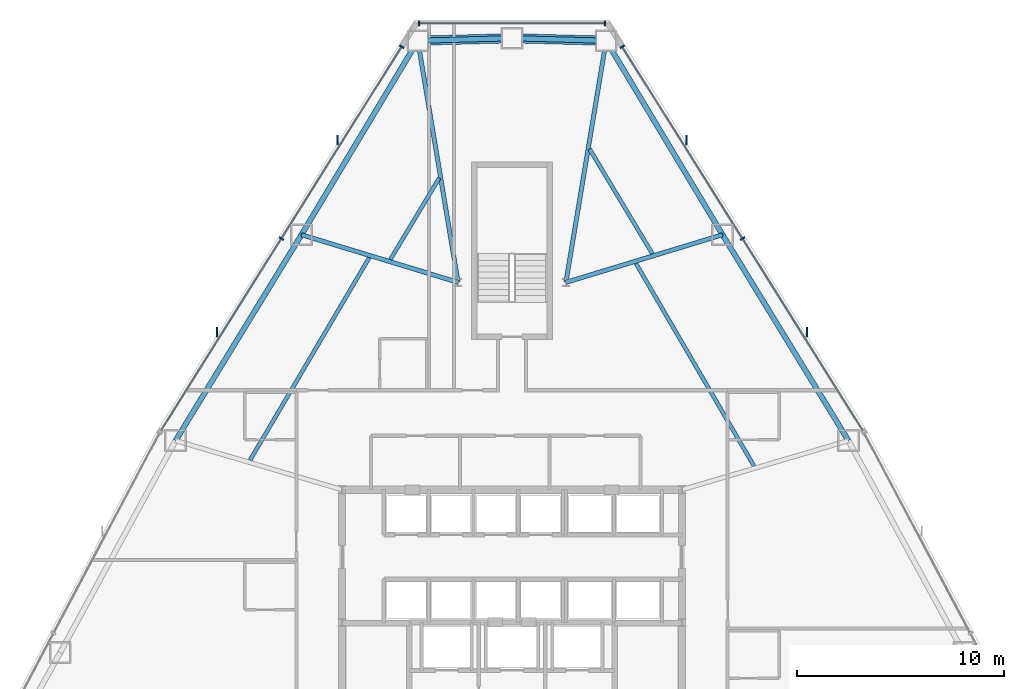
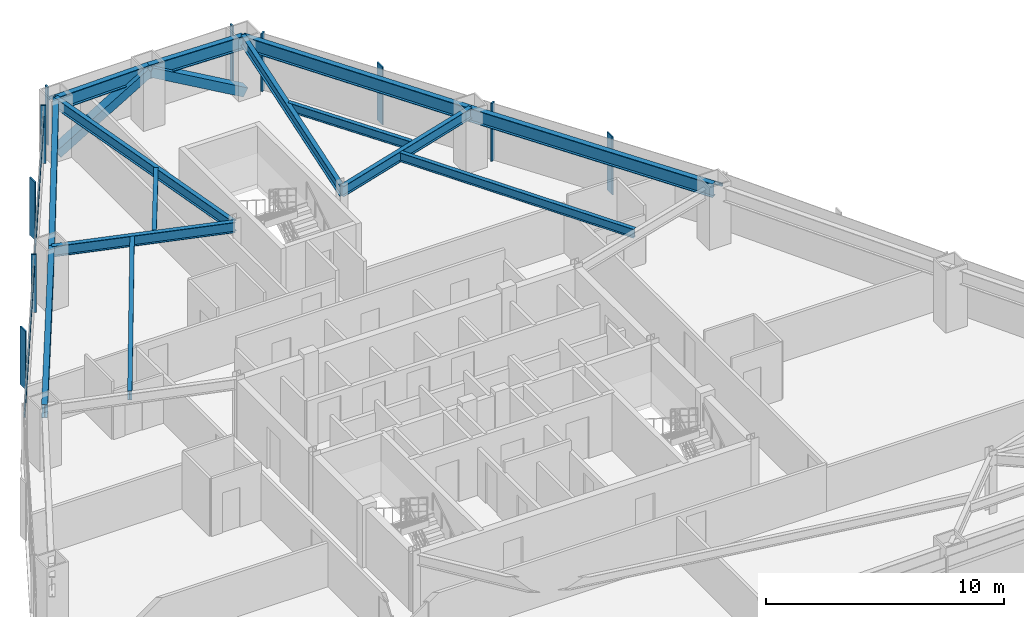
# One storey, part 7 of 13: 15 members, 14 beams, 3 elements without a shape of their own.
"""IFC4 building model written with IfcOpenShell, lengths in metres."""

from ifc_helpers import new_model, si_unit, direction, frame, origin, origin_2d, place, context, subcontext, project, spatial, rectangle, hollow_rectangle, i_section, extrude, source, transform, mapped, material, layer, layer_set, material_profile, profile_set, type_object, type_shapes, element, aggregate, save


model = new_model("IFC4")

# Units and contexts
model_context = context("Model", 3, precision=1e-05, world=origin(), true_north=direction((0.0, 1.0)))
body_context = subcontext(model_context, "Body", "Model", "MODEL_VIEW")
ifc_project = project(units=[si_unit("LENGTHUNIT", "METRE"), si_unit("AREAUNIT", "SQUARE_METRE"), si_unit("VOLUMEUNIT", "CUBIC_METRE"), si_unit("PLANEANGLEUNIT", "RADIAN"), si_unit("MASSUNIT", "GRAM", prefix="KILO")], contexts=[model_context])

# Site, building, storey
site_placement = place(None, origin())
site = spatial("IfcSite", under=ifc_project, at=site_placement, CompositionType="ELEMENT")
building_placement = place(site_placement, origin())
building = spatial("IfcBuilding", under=site, at=building_placement, Name="Varakhsha Concourse Tower", CompositionType="ELEMENT")
storey_placement = place(building_placement, frame((0.0, 0.0, 92.60009765625)))
storey = spatial("IfcBuildingStorey", under=building, at=storey_placement, Name="L26", CompositionType="ELEMENT", Elevation=92.60009765625)

# Beams
ifc_material_1 = material(Name="Structural Steel ASTM A992 Grade 50", Category="steel")
ifc_material_profile_1 = material_profile(ifc_material_1, i_section(OverallWidth=0.19091796875, OverallDepth=0.45703125, WebThickness=0.009033203125, FlangeThickness=0.013916015625, at=origin_2d()), Name="W18X50")
ifc_profile_set_1 = profile_set([ifc_material_profile_1], Name="Structural Steel ASTM A992 Grade 50")
beam_type_1 = type_object("IfcBeamType", Name="BM-JST-W18X50", PredefinedType="JOIST", material=ifc_profile_set_1)
beam_1_placement = place(storey_placement, frame((36.489013671875, 46.236083984375, 2.741455078125), z_axis=(-0.514409574998, -0.857544628081, 0.0), x_axis=(0.857544628081, -0.514409574998, 0.0)))
element("IfcBeam", 1, at=beam_1_placement, inside=storey, type_object=beam_type_1, Name="BM-TJST-L26-03", PredefinedType="JOIST", context=body_context, shape_type="SweptSolid", body=[
    extrude(i_section(OverallWidth=0.19091796875, OverallDepth=0.45703125, WebThickness=0.009033203125, FlangeThickness=0.013916015625, at=origin_2d()), origin(), (0.0, 0.0, 1.0), 4.582763671875),
])
beam_2_placement = place(storey_placement, frame((33.112548828125, 42.39306640625, 2.741455078125), z_axis=(-0.507315554259, -0.861760365999, 0.0), x_axis=(0.861760365999, -0.507315554259, 0.0)))
element("IfcBeam", 2, at=beam_2_placement, inside=storey, type_object=beam_type_1, Name="BM-TJST-L26-04", PredefinedType="JOIST", context=body_context, shape_type="SweptSolid", body=[
    extrude(i_section(OverallWidth=0.19091796875, OverallDepth=0.45703125, WebThickness=0.009033203125, FlangeThickness=0.013916015625, at=origin_2d()), origin(), (0.0, 0.0, 1.0), 11.3388671875),
])
beam_3_placement = place(storey_placement, frame((51.677001953125, 32.33740234375, 2.741455078125), z_axis=(-0.503346513483, 0.864084652893, 0.0), x_axis=(-0.864084652893, -0.503346513483, 0.0)))
element("IfcBeam", 3, at=beam_3_placement, inside=storey, type_object=beam_type_1, Name="BM-TJST-L26-17", PredefinedType="JOIST", context=body_context, shape_type="SweptSolid", body=[
    extrude(i_section(OverallWidth=0.19091796875, OverallDepth=0.45703125, WebThickness=0.009033203125, FlangeThickness=0.013916015625, at=origin_2d()), origin(), (0.0, 0.0, 1.0), 11.31787109375),
])
beam_4_placement = place(storey_placement, frame((46.775146484375, 42.582275390625, 2.741455078125), z_axis=(-0.514428730328, 0.85753313721, 0.0), x_axis=(-0.85753313721, -0.514428730328, 0.0)))
element("IfcBeam", 4, at=beam_4_placement, inside=storey, type_object=beam_type_1, Name="BM-TJST-L26-18", PredefinedType="JOIST", context=body_context, shape_type="SweptSolid", body=[
    extrude(i_section(OverallWidth=0.19091796875, OverallDepth=0.45703125, WebThickness=0.009033203125, FlangeThickness=0.013916015625, at=origin_2d()), origin(), (0.0, 0.0, 1.0), 5.892578125),
])
ifc_material_profile_2 = material_profile(ifc_material_1, i_section(OverallWidth=0.2109375, OverallDepth=0.5390625, WebThickness=0.011962890625, FlangeThickness=0.01904296875, at=origin_2d()), Name="W21X73")
ifc_profile_set_2 = profile_set([ifc_material_profile_2], Name="Structural Steel ASTM A992 Grade 50")
beam_type_2 = type_object("IfcBeamType", Name="BM-RAD-W21X73", PredefinedType="BEAM", material=ifc_profile_set_2)
for number, where, z_axis, x_axis, name in (
    (5, (42.60009765625, 41.199951171875, 2.700439453125), (0.164241567319, 0.986420147586, 0.0), (-0.986420147586, 0.164241567319, 0.0), "L26 Radial Floor Girder 01"),
    (6, (37.39990234375, 41.199951171875, 2.700439453125), (-0.164241567319, 0.986420147586, 0.0), (-0.986420147586, -0.164241567319, 0.0), "L26 Radial Floor Girder 03"),
):
    element("IfcBeam", number, at=place(storey_placement, frame(where, z_axis=z_axis, x_axis=x_axis)), inside=storey, type_object=beam_type_2, Name=name, PredefinedType="BEAM", context=body_context, shape_type="SweptSolid", body=[
        extrude(i_section(OverallWidth=0.2109375, OverallDepth=0.5390625, WebThickness=0.011962890625, FlangeThickness=0.01904296875, at=origin_2d()), origin(), (0.0, 0.0, 1.0), 11.8203125),
    ])
for number, where, z_axis, x_axis, name in (
    (7, (37.39990234375, 41.199951171875, 2.700439453125), (-0.956672757421, 0.291165305641, 0.0), (-0.291165305641, -0.956672757421, 0.0), "L26 Radial Floor Girder 04"),
    (8, (42.60009765625, 41.199951171875, 2.700439453125), (0.956672757421, 0.291165305641, 0.0), (-0.291165305641, 0.956672757421, 0.0), "L26 Radial Floor Girder 18"),
):
    element("IfcBeam", number, at=place(storey_placement, frame(where, z_axis=z_axis, x_axis=x_axis)), inside=storey, type_object=beam_type_2, Name=name, PredefinedType="BEAM", context=body_context, shape_type="SweptSolid", body=[
        extrude(i_section(OverallWidth=0.2109375, OverallDepth=0.5390625, WebThickness=0.011962890625, FlangeThickness=0.01904296875, at=origin_2d()), origin(), (0.0, 0.0, 1.0), 7.898681640625),
    ])
ifc_material_profile_3 = material_profile(ifc_material_1, i_section(OverallWidth=0.25390625, OverallDepth=0.701904296875, WebThickness=0.014892578125, FlangeThickness=0.028076171875, at=origin_2d()), Name="W27X129")
ifc_profile_set_3 = profile_set([ifc_material_profile_3], Name="Structural Steel ASTM A992 Grade 50")
beam_type_3 = type_object("IfcBeamType", Name="BM-SPAN-W27X129", PredefinedType="SPANDREL", material=ifc_profile_set_3)
for number, where, z_axis, x_axis, name in (
    (9, (44.54150390625, 52.85986328125, 2.618896484375), (-0.999653249616, 0.026332119789, 0.0), (-0.026332119789, -0.999653249616, 0.0), "BM-SPAN-L26-01"),
    (10, (40.0, 52.9794921875, 2.618896484375), (-0.999653249616, -0.026332119789, 0.0), (0.026332119789, -0.999653249616, 0.0), "BM-SPAN-L26-02"),
):
    element("IfcBeam", number, at=place(storey_placement, frame(where, z_axis=z_axis, x_axis=x_axis)), inside=storey, type_object=beam_type_3, Name=name, PredefinedType="SPANDREL", context=body_context, shape_type="SweptSolid", body=[
        extrude(i_section(OverallWidth=0.25390625, OverallDepth=0.701904296875, WebThickness=0.014892578125, FlangeThickness=0.028076171875, at=origin_2d()), origin(), (0.0, 0.0, 1.0), 4.54296875),
    ])
beam_5_placement = place(storey_placement, frame((35.45849609375, 52.85986328125, 2.618896484375), z_axis=(-0.514423389103, -0.857536341355, 0.0), x_axis=(0.857536341355, -0.514423389103, 0.0)))
element("IfcBeam", 11, at=beam_5_placement, inside=storey, type_object=beam_type_3, Name="BM-SPAN-L26-03", PredefinedType="SPANDREL", context=body_context, shape_type="SweptSolid", body=[
    extrude(i_section(OverallWidth=0.25390625, OverallDepth=0.701904296875, WebThickness=0.014892578125, FlangeThickness=0.028076171875, at=origin_2d()), origin(), (0.0, 0.0, 1.0), 10.9150390625),
])
for number, where, z_axis, x_axis, name in (
    (12, (29.843505859375, 43.499755859375, 2.618896484375), (-0.521624773632, -0.853175008737, 0.0), (0.853175008737, -0.521624773632, 0.0), "BM-SPAN-L26-04"),
    (13, (56.22802734375, 33.569091796875, 2.618896484375), (-0.521624773632, 0.853175008737, 0.0), (-0.853175008737, -0.521624773632, 0.0), "BM-SPAN-L26-17"),
):
    element("IfcBeam", number, at=place(storey_placement, frame(where, z_axis=z_axis, x_axis=x_axis)), inside=storey, type_object=beam_type_3, Name=name, PredefinedType="SPANDREL", context=body_context, shape_type="SweptSolid", body=[
        extrude(i_section(OverallWidth=0.25390625, OverallDepth=0.701904296875, WebThickness=0.014892578125, FlangeThickness=0.028076171875, at=origin_2d()), origin(), (0.0, 0.0, 1.0), 11.6396484375),
    ])
beam_6_placement = place(storey_placement, frame((50.156494140625, 43.499755859375, 2.618896484375), z_axis=(-0.514423389103, 0.857536341355, 0.0), x_axis=(-0.857536341355, -0.514423389103, 0.0)))
element("IfcBeam", 14, at=beam_6_placement, inside=storey, type_object=beam_type_3, Name="BM-SPAN-L26-18", PredefinedType="SPANDREL", context=body_context, shape_type="SweptSolid", body=[
    extrude(i_section(OverallWidth=0.25390625, OverallDepth=0.701904296875, WebThickness=0.014892578125, FlangeThickness=0.028076171875, at=origin_2d()), origin(), (0.0, 0.0, 1.0), 10.9150390625),
])

# Members
ifc_material_2 = material(Name="Structural Steel ASTM A500 Grade C", Category="steel")
ifc_material_profile_4 = material_profile(ifc_material_2, hollow_rectangle(XDim=0.449951171875, YDim=0.449951171875, WallThickness=0.01904296875, at=origin_2d()), Name="HSS 450x450x19")
ifc_profile_set_4 = profile_set([ifc_material_profile_4], Name="Structural Steel ASTM A500 Grade C")
member_type_1 = type_object("IfcMemberType", Name="MB-TUBE-HSS450", PredefinedType="BRACE", material=ifc_profile_set_4)
shared_shape_1 = source(origin(), body_context, "Body", "SweptSolid", [
    extrude(hollow_rectangle(XDim=0.449951171875, YDim=0.449951171875, WallThickness=0.01904296875, at=origin_2d()), origin(), (0.0, 0.0, 1.0), 5.209716796875),
])
type_shapes(member_type_1, [shared_shape_1])
for number, where, z_axis, x_axis, name in (
    (15, (44.54150390625, 52.85986328125, 0.119873046875), (-0.87171842643, 0.022962156163, 0.489468818625), (-0.026332119789, -0.999653249616, 0.0), "L26 Wind-Corner Tube Brace B01"),
    (16, (35.45849609375, 52.85986328125, 0.119873046875), (0.87171842643, 0.022962156163, 0.489468818625), (-0.026332119789, 0.999653249616, 0.0), "L26 Wind-Corner Tube Brace B02"),
):
    element("IfcMember", number, at=place(storey_placement, frame(where, z_axis=z_axis, x_axis=x_axis)), inside=storey, type_object=member_type_1, Name=name, PredefinedType="BRACE", context=body_context, shape_type="MappedRepresentation", body=[
        mapped(shared_shape_1, transform((0.0, 0.0, 0.0), scale=1.0)),
    ])

# Curtain wall, members
ifc_material_3 = material(Name="Anodised Bronze Architectural Aluminium AA 6063-T6", Category="aluminium")
ifc_layer = layer(ifc_material_3, 0.199951171875, Name="CW-SYS-03")
ifc_layer_set = layer_set([ifc_layer], Name="Anodised Bronze Architectural Aluminium AA 6063-T6")
curtain_wall_type = type_object("IfcCurtainWallType", Name="CW-SYS-03", PredefinedType="NOTDEFINED", material=ifc_layer_set)
curtain_wall_1_placement = place(storey_placement, origin())
curtain_wall_1 = element("IfcCurtainWall", 17, at=curtain_wall_1_placement, inside=storey, type_object=curtain_wall_type, Name="L26 Chamfer Curtain Wall F1", PredefinedType="NOTDEFINED")
ifc_material_profile_5 = material_profile(ifc_material_3, rectangle(XDim=0.074951171875, YDim=0.219970703125, at=origin_2d()), Name="CWM-220X75")
ifc_profile_set_5 = profile_set([ifc_material_profile_5], Name="Anodised Bronze Architectural Aluminium AA 6063-T6")
member_type_2 = type_object("IfcMemberType", Name="CWM-220X75", PredefinedType="MULLION", material=ifc_profile_set_5)
shared_shape_2 = source(origin(), body_context, "Body", "SweptSolid", [
    extrude(rectangle(XDim=0.074951171875, YDim=0.219970703125, at=origin_2d()), origin(), (0.0, 0.0, 1.0), 2.969970703125),
])
type_shapes(member_type_2, [shared_shape_2])
member_1_placement = place(storey_placement, frame((35.52001953125, 53.699462890625, 0.0), z_axis=(0.0, 0.0, 1.0), x_axis=(1.0, 0.0, 0.0)))
member_1 = element("IfcMember", 18, at=member_1_placement, type_object=member_type_2, Name="CW-L26-F1 Mullion 00", PredefinedType="MULLION", context=body_context, shape_type="MappedRepresentation", body=[
    mapped(shared_shape_2, transform((0.0, 0.0, 0.0), scale=1.0)),
])
member_2_placement = place(storey_placement, frame((44.47998046875, 53.699462890625, 0.0), z_axis=(0.0, 0.0, 1.0), x_axis=(1.0, 0.0, 0.0)))
member_2 = element("IfcMember", 19, at=member_2_placement, type_object=member_type_2, Name="CW-L26-F1 Mullion 01", PredefinedType="MULLION", context=body_context, shape_type="MappedRepresentation", body=[
    mapped(shared_shape_2, transform((0.0, 0.0, 0.0), scale=1.0)),
])

curtain_wall_2_placement = place(storey_placement, origin())
curtain_wall_2 = element("IfcCurtainWall", 20, at=curtain_wall_2_placement, inside=storey, type_object=curtain_wall_type, Name="L26 Crystal Curtain Wall F2", PredefinedType="NOTDEFINED")
member_3_placement = place(storey_placement, frame((28.87744140625, 43.314697265625, 0.0), z_axis=(0.0, 0.0, 1.0), x_axis=(0.531209317405, 0.847240615824, 0.0)))
member_3 = element("IfcMember", 21, at=member_3_placement, type_object=member_type_2, Name="CW-L26-F2 Mullion 01", PredefinedType="MULLION", context=body_context, shape_type="MappedRepresentation", body=[
    mapped(shared_shape_2, transform((0.0, 0.0, 0.0), scale=1.0)),
])
member_4_placement = place(storey_placement, frame((34.681396484375, 52.5712890625, 0.0), z_axis=(0.0, 0.0, 1.0), x_axis=(0.531209317405, 0.847240615824, 0.0)))
member_4 = element("IfcMember", 22, at=member_4_placement, type_object=member_type_2, Name="CW-L26-F2 Mullion 02", PredefinedType="MULLION", context=body_context, shape_type="MappedRepresentation", body=[
    mapped(shared_shape_2, transform((0.0, 0.0, 0.0), scale=1.0)),
])

curtain_wall_3_placement = place(storey_placement, origin())
curtain_wall_3 = element("IfcCurtainWall", 23, at=curtain_wall_3_placement, inside=storey, type_object=curtain_wall_type, Name="L26 Crystal Curtain Wall F9", PredefinedType="NOTDEFINED")
member_5_placement = place(storey_placement, frame((45.318603515625, 52.5712890625, 0.0), z_axis=(0.0, 0.0, 1.0), x_axis=(0.531209317405, -0.847240615824, 0.0)))
member_5 = element("IfcMember", 24, at=member_5_placement, type_object=member_type_2, Name="CW-L26-F9 Mullion 00", PredefinedType="MULLION", context=body_context, shape_type="MappedRepresentation", body=[
    mapped(shared_shape_2, transform((0.0, 0.0, 0.0), scale=1.0)),
])
member_6_placement = place(storey_placement, frame((51.12255859375, 43.314697265625, 0.0), z_axis=(0.0, 0.0, 1.0), x_axis=(0.531209317405, -0.847240615824, 0.0)))
member_6 = element("IfcMember", 25, at=member_6_placement, type_object=member_type_2, Name="CW-L26-F9 Mullion 01", PredefinedType="MULLION", context=body_context, shape_type="MappedRepresentation", body=[
    mapped(shared_shape_2, transform((0.0, 0.0, 0.0), scale=1.0)),
])

# Member
ifc_material_profile_6 = material_profile(ifc_material_3, rectangle(XDim=0.06494140625, YDim=0.449951171875, at=origin_2d()), Name="FIN-BRZ-450")
ifc_profile_set_6 = profile_set([ifc_material_profile_6], Name="Anodised Bronze Architectural Aluminium AA 6063-T6")
member_type_3 = type_object("IfcMemberType", Name="FIN-BRZ-450", PredefinedType="USERDEFINED", material=ifc_profile_set_6)
shared_shape_3 = source(origin(), body_context, "Body", "SweptSolid", [
    extrude(rectangle(XDim=0.06494140625, YDim=0.449951171875, at=origin_2d()), origin(), (0.0, 0.0, 1.0), 2.969970703125),
])
type_shapes(member_type_3, [shared_shape_3])
member_7_placement = place(storey_placement, frame((25.772216796875, 38.813720703125, 0.0), z_axis=(0.0, 0.0, 1.0), x_axis=(1.0, 0.0, 0.0)))
member_7 = element("IfcMember", 26, at=member_7_placement, type_object=member_type_3, Name="L26 Anodised Bronze Solar Fin F2-1", ObjectType="SOLAR FIN", PredefinedType="USERDEFINED", context=body_context, shape_type="MappedRepresentation", body=[
    mapped(shared_shape_3, transform((0.0, 0.0, 0.0), scale=1.0)),
])

member_8_placement = place(storey_placement, frame((31.576171875, 48.070556640625, 0.0), z_axis=(0.0, 0.0, 1.0), x_axis=(1.0, 0.0, 0.0)))
member_8 = element("IfcMember", 27, at=member_8_placement, type_object=member_type_3, Name="L26 Anodised Bronze Solar Fin F2-2", ObjectType="SOLAR FIN", PredefinedType="USERDEFINED", context=body_context, shape_type="MappedRepresentation", body=[
    mapped(shared_shape_3, transform((0.0, 0.0, 0.0), scale=1.0)),
])

member_9_placement = place(storey_placement, frame((48.423828125, 48.070556640625, 0.0), z_axis=(0.0, 0.0, 1.0), x_axis=(1.0, 0.0, 0.0)))
member_9 = element("IfcMember", 28, at=member_9_placement, type_object=member_type_3, Name="L26 Anodised Bronze Solar Fin F9-1", ObjectType="SOLAR FIN", PredefinedType="USERDEFINED", context=body_context, shape_type="MappedRepresentation", body=[
    mapped(shared_shape_3, transform((0.0, 0.0, 0.0), scale=1.0)),
])

member_10_placement = place(storey_placement, frame((54.227783203125, 38.813720703125, 0.0), z_axis=(0.0, 0.0, 1.0), x_axis=(1.0, 0.0, 0.0)))
member_10 = element("IfcMember", 29, at=member_10_placement, type_object=member_type_3, Name="L26 Anodised Bronze Solar Fin F9-2", ObjectType="SOLAR FIN", PredefinedType="USERDEFINED", context=body_context, shape_type="MappedRepresentation", body=[
    mapped(shared_shape_3, transform((0.0, 0.0, 0.0), scale=1.0)),
])

ifc_material_profile_7 = material_profile(ifc_material_3, rectangle(XDim=0.06494140625, YDim=0.159912109375, at=origin_2d()), Name="CWT-160X65")
ifc_profile_set_7 = profile_set([ifc_material_profile_7], Name="Anodised Bronze Architectural Aluminium AA 6063-T6")
member_type_4 = type_object("IfcMemberType", Name="CWT-160X65", PredefinedType="USERDEFINED", material=ifc_profile_set_7)
shared_shape_4 = source(origin(), body_context, "Body", "SweptSolid", [
    extrude(rectangle(XDim=0.06494140625, YDim=0.159912109375, at=origin_2d()), origin(), (0.0, 0.0, 1.0), 8.9599609375),
])
member_11_placement = place(storey_placement, frame((35.52001953125, 53.699462890625, 2.31982421875), z_axis=(1.0, 0.0, 0.0), x_axis=(0.0, 1.0, 0.0)))
member_11 = element("IfcMember", 30, at=member_11_placement, type_object=member_type_4, Name="CW-L26-F1 Transom 01", ObjectType="TRANSOM", PredefinedType="USERDEFINED", context=body_context, shape_type="MappedRepresentation", body=[
    mapped(shared_shape_4, transform((0.0, 0.0, 0.0), scale=1.0)),
])

aggregate(curtain_wall_1, [member_1, member_2, member_11])

shared_shape_5 = source(origin(), body_context, "Body", "SweptSolid", [
    extrude(rectangle(XDim=0.06494140625, YDim=0.159912109375, at=origin_2d()), origin(), (0.0, 0.0, 1.0), 21.851318359375),
])
type_shapes(member_type_4, [shared_shape_4, shared_shape_5])
member_12_placement = place(storey_placement, frame((23.07373046875, 34.05810546875, 2.31982421875), z_axis=(0.531213601192, 0.847237929928, 0.0), x_axis=(-0.847237929928, 0.531213601192, 0.0)))
member_12 = element("IfcMember", 31, at=member_12_placement, type_object=member_type_4, Name="CW-L26-F2 Transom 01", ObjectType="TRANSOM", PredefinedType="USERDEFINED", context=body_context, shape_type="MappedRepresentation", body=[
    mapped(shared_shape_5, transform((0.0, 0.0, 0.0), scale=1.0)),
])

aggregate(curtain_wall_2, [member_3, member_4, member_12, member_7, member_8])

member_13_placement = place(storey_placement, frame((45.318603515625, 52.5712890625, 2.31982421875), z_axis=(0.531213601192, -0.847237929928, 0.0), x_axis=(0.847237929928, 0.531213601192, 0.0)))
member_13 = element("IfcMember", 32, at=member_13_placement, type_object=member_type_4, Name="CW-L26-F9 Transom 01", ObjectType="TRANSOM", PredefinedType="USERDEFINED", context=body_context, shape_type="MappedRepresentation", body=[
    mapped(shared_shape_5, transform((0.0, 0.0, 0.0), scale=1.0)),
])

aggregate(curtain_wall_3, [member_5, member_6, member_13, member_9, member_10])

save(model, "model.ifc")
